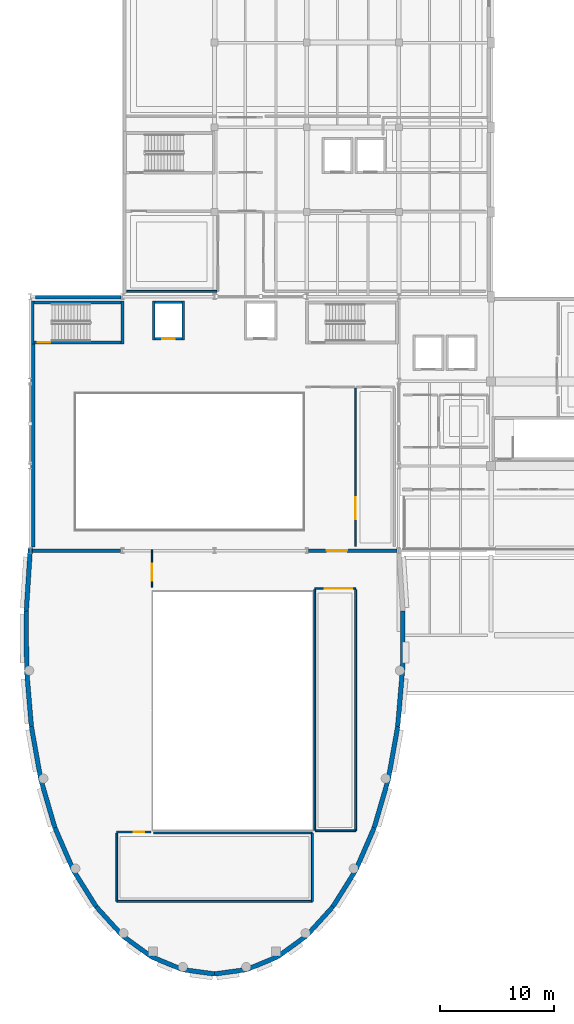
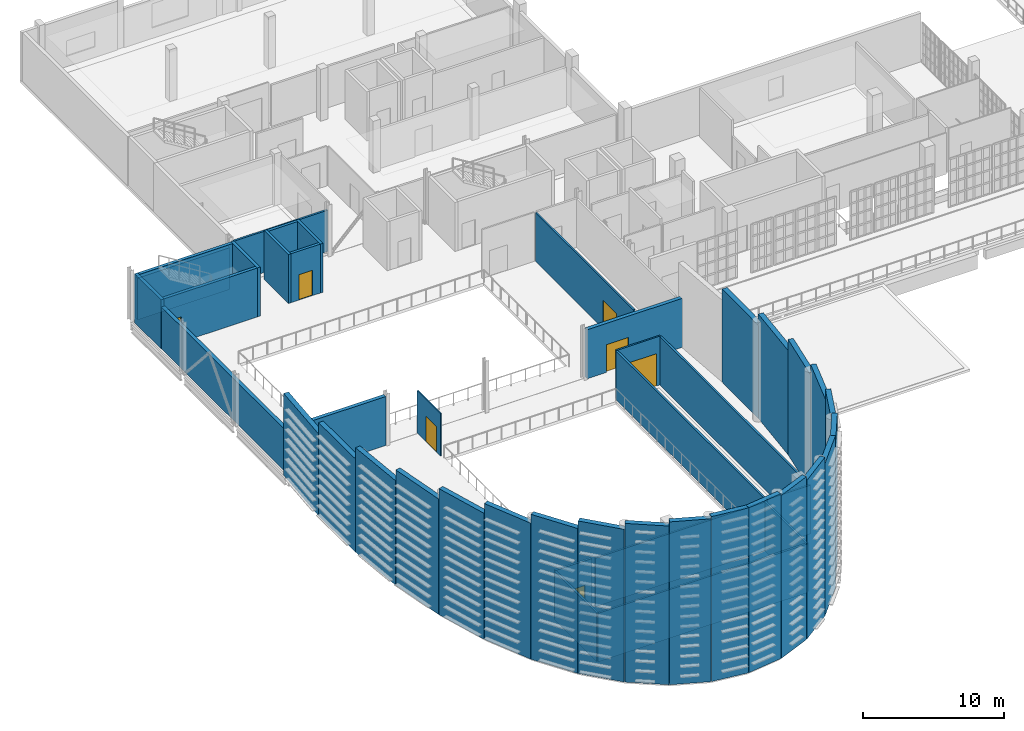
# One storey, part 45 of 56: 45 walls, 7 doors, 7 openings.
"""IFC4 building model written with IfcOpenShell, lengths in metres."""

from ifc_helpers import new_model, si_unit, direction, frame, frame_2d, origin, place, context, subcontext, project, spatial, rectangle, extrude, material, layer, layer_set, type_object, element, fill, save


model = new_model("IFC4")

# Units and contexts
model_context = context("Model", 3, precision=1e-05, world=origin(), true_north=direction((0.0, 1.0)))
body_context = subcontext(model_context, "Body", "Model", "MODEL_VIEW")
ifc_project = project(units=[si_unit("LENGTHUNIT", "METRE"), si_unit("AREAUNIT", "SQUARE_METRE"), si_unit("VOLUMEUNIT", "CUBIC_METRE"), si_unit("PLANEANGLEUNIT", "RADIAN"), si_unit("MASSUNIT", "GRAM", prefix="KILO")], contexts=[model_context])

# Site, building, storey
site_placement = place(None, origin())
site = spatial("IfcSite", under=ifc_project, at=site_placement, CompositionType="ELEMENT")
building_placement = place(site_placement, origin())
building = spatial("IfcBuilding", under=site, at=building_placement, Name="Kaelora Sail Theatre", CompositionType="ELEMENT")
storey_placement = place(building_placement, frame((0.0, 0.0, 14.699951171875)))
storey = spatial("IfcBuildingStorey", under=building, at=storey_placement, Name="L03", CompositionType="ELEMENT", Elevation=14.699951171875)

# Wall, opening, door
ifc_material_1 = material(Name="Concrete C40/50", Category="concrete")
ifc_layer_1 = layer(ifc_material_1, 0.25)
ifc_layer_set_1 = layer_set([ifc_layer_1], Name="Concrete C40/50")
wall_type_1 = type_object("IfcWallType", Name="ARC-WL-CW-250", PredefinedType="SHEAR", material=ifc_layer_set_1)
wall_1_placement = place(storey_placement, frame((26.155029296875, 79.324951171875, 0.0), z_axis=(0.0, 0.0, 1.0), x_axis=(1.0, 0.0, 0.0)))
wall_1 = element("IfcWall", 1, at=wall_1_placement, inside=storey, type_object=wall_type_1, Name="Stair shaft ST-K1 wall L03-S", PredefinedType="SHEAR", context=body_context, shape_type="SweptSolid", body=[
    extrude(rectangle(XDim=7.639892578125, YDim=0.25, at=frame_2d((3.81982421875, 0.0))), origin(), (0.0, 0.0, 1.0), 4.2451171875),
])
opening_1_placement = place(wall_1_placement, frame((0.320068359375, 0.0, 0.0)))
opening_1 = element("IfcOpeningElement", 2, at=opening_1_placement, cuts=wall_1, Name="Opening FD-02", PredefinedType="OPENING", context=body_context, shape_type="SweptSolid", body=[
    extrude(rectangle(XDim=1.10009765625, YDim=2.199951171875, at=frame_2d((0.550048828125, 1.10009765625))), frame((0.0, 0.135, 0.0), z_axis=(0.0, -1.0, 0.0), x_axis=(1.0, 0.0, 0.0)), (0.0, 0.0, 1.0), 0.27),
])
ifc_material_2 = material(Name="Acoustic steel single stair/lobby fire door EI 90-C", Category="steel")
door_type_1 = type_object("IfcDoorType", Name="ARC-DR-FD-02", OperationType="NOTDEFINED", PredefinedType="DOOR", material=ifc_material_2)
door_1_placement = place(opening_1_placement, origin())
door_1 = element("IfcDoor", 3, at=door_1_placement, inside=storey, type_object=door_type_1, Name="Stair ST-K1 door (L03)", OperationType="SINGLE_SWING_RIGHT", OverallHeight=2.199951171875, OverallWidth=1.10009765625, PredefinedType="DOOR", context=body_context, shape_type="SweptSolid", body=[
    extrude(rectangle(XDim=1.10009765625, YDim=2.199951171875, at=frame_2d((0.550048828125, 1.10009765625))), frame((0.0, 0.02490234375, 0.0), z_axis=(0.0, -1.0, 0.0), x_axis=(1.0, 0.0, 0.0)), (0.0, 0.0, 1.0), 0.050048828125),
])
fill(opening_1, door_1)

# Walls
wall_2_placement = place(storey_placement, frame((26.155029296875, 82.824951171875, 0.0), z_axis=(0.0, 0.0, 1.0), x_axis=(1.0, 0.0, 0.0)))
element("IfcWall", 4, at=wall_2_placement, inside=storey, type_object=wall_type_1, Name="Stair shaft ST-K1 wall L03-N", PredefinedType="SHEAR", context=body_context, shape_type="SweptSolid", body=[
    extrude(rectangle(XDim=7.639892578125, YDim=0.25, at=frame_2d((3.81982421875, 0.0))), origin(), (0.0, 0.0, 1.0), 4.2451171875),
])
for number, where, z_axis, x_axis, name in (
    (5, (26.02490234375, 79.199951171875, 0.0), (0.0, 0.0, 1.0), (0.0, 1.0, 0.0), "Stair shaft ST-K1 wall L03-W"),
    (6, (33.925048828125, 79.199951171875, 0.0), (0.0, 0.0, 1.0), (0.0, 1.0, 0.0), "Stair shaft ST-K1 wall L03-E"),
):
    element("IfcWall", number, at=place(storey_placement, frame(where, z_axis=z_axis, x_axis=x_axis)), inside=storey, type_object=wall_type_1, Name=name, PredefinedType="SHEAR", context=body_context, shape_type="SweptSolid", body=[
        extrude(rectangle(XDim=3.75, YDim=0.25, at=frame_2d((1.875, 0.0))), origin(), (0.0, 0.0, 1.0), 4.2451171875),
    ])
ifc_material_3 = material(Name="Concrete C45/55", Category="concrete")
ifc_layer_2 = layer(ifc_material_3, 0.300048828125)
ifc_layer_set_2 = layer_set([ifc_layer_2], Name="Concrete C45/55")
wall_type_2 = type_object("IfcWallType", Name="ARC-WL-CW-300", PredefinedType="SHEAR", material=ifc_layer_set_2)
wall_3_placement = place(storey_placement, frame((25.951904296875, 61.02001953125, 0.0), z_axis=(0.0, 0.0, 1.0), x_axis=(1.0, 0.0, 0.0)))
element("IfcWall", 7, at=wall_3_placement, inside=storey, type_object=wall_type_2, Name="Proscenium fire wall L03-W", PredefinedType="SHEAR", context=body_context, shape_type="SweptSolid", body=[
    extrude(rectangle(XDim=7.796142578125, YDim=0.300048828125, at=frame_2d((3.89794921875, 0.0))), origin(), (0.0, 0.0, 1.0), 4.2451171875),
])

# Wall, opening, door
wall_4_placement = place(storey_placement, frame((50.251953125, 61.02001953125, 0.0), z_axis=(0.0, 0.0, 1.0), x_axis=(1.0, 0.0, 0.0)))
wall_4 = element("IfcWall", 8, at=wall_4_placement, inside=storey, type_object=wall_type_2, Name="Proscenium fire wall L03-E", PredefinedType="SHEAR", context=body_context, shape_type="SweptSolid", body=[
    extrude(rectangle(XDim=7.796142578125, YDim=0.300048828125, at=frame_2d((3.89794921875, 0.0))), origin(), (0.0, 0.0, 1.0), 4.2451171875),
])
opening_2_placement = place(wall_4_placement, frame((1.60009765625, 0.0, 0.0)))
opening_2 = element("IfcOpeningElement", 9, at=opening_2_placement, cuts=wall_4, Name="Opening FD-03", PredefinedType="OPENING", context=body_context, shape_type="SweptSolid", body=[
    extrude(rectangle(XDim=1.800048828125, YDim=2.39990234375, at=frame_2d((0.89990234375, 1.199951171875))), frame((0.0, 0.159902, 0.0), z_axis=(0.0, -1.0, 0.0), x_axis=(1.0, 0.0, 0.0)), (0.0, 0.0, 1.0), 0.320049),
])
ifc_material_4 = material(Name="Auditorium acoustic double sound-lock fire door FD60S", Category="steel")
door_type_2 = type_object("IfcDoorType", Name="ARC-DR-FD-03", OperationType="NOTDEFINED", PredefinedType="DOOR", material=ifc_material_4)
door_2_placement = place(opening_2_placement, origin())
door_2 = element("IfcDoor", 10, at=door_2_placement, inside=storey, type_object=door_type_2, Name="Stage-to-Auditorium Fire Door L03", OperationType="DOUBLE_DOOR_SINGLE_SWING", OverallHeight=2.39990234375, OverallWidth=1.800048828125, PredefinedType="DOOR", context=body_context, shape_type="SweptSolid", body=[
    extrude(rectangle(XDim=1.800048828125, YDim=2.39990234375, at=frame_2d((0.89990234375, 1.199951171875))), frame((0.0, 0.02490234375, 0.0), z_axis=(0.0, -1.0, 0.0), x_axis=(1.0, 0.0, 0.0)), (0.0, 0.0, 1.0), 0.050048828125),
])
fill(opening_2, door_2)

# Walls
ifc_material_5 = material(Name="Concrete C50/60", Category="concrete")
ifc_layer_3 = layer(ifc_material_5, 0.39990234375)
ifc_layer_set_3 = layer_set([ifc_layer_3], Name="Concrete C50/60")
wall_type_3 = type_object("IfcWallType", Name="ARC-WL-DW-400", PredefinedType="SHEAR", material=ifc_layer_set_3)
wall_5_placement = place(storey_placement, frame((58.542236328125, 55.725830078125, 0.0), z_axis=(0.0, 0.0, 1.0), x_axis=(-0.004895671688, -0.999988016128, 0.0)))
element("IfcWall", 11, at=wall_5_placement, inside=storey, type_object=wall_type_3, Name="Main Theatre Sail Drum curved drum acoustic wall L03 chord 2", PredefinedType="SHEAR", context=body_context, shape_type="SweptSolid", body=[
    extrude(rectangle(XDim=5.186279296875, YDim=0.39990234375, at=frame_2d((2.59326171875, 0.0))), origin(), (0.0, 0.0, 1.0), 8.071044921875),
])
wall_6_placement = place(storey_placement, frame((58.516845703125, 50.53955078125, 0.0), z_axis=(0.0, 0.0, 1.0), x_axis=(-0.084239735825, -0.996445516277, 0.0)))
element("IfcWall", 12, at=wall_6_placement, inside=storey, type_object=wall_type_3, Name="Main Theatre Sail Drum curved drum acoustic wall L03 chord 3", PredefinedType="SHEAR", context=body_context, shape_type="SweptSolid", body=[
    extrude(rectangle(XDim=4.99072265625, YDim=0.39990234375, at=frame_2d((2.495361328125, 0.0))), origin(), (0.0, 0.0, 1.0), 9.04248046875),
])
wall_7_placement = place(storey_placement, frame((58.096435546875, 45.566650390625, 0.0), z_axis=(0.0, 0.0, 1.0), x_axis=(-0.17557456422, -0.98446613573, 0.0)))
element("IfcWall", 13, at=wall_7_placement, inside=storey, type_object=wall_type_3, Name="Main Theatre Sail Drum curved drum acoustic wall L03 chord 4", PredefinedType="SHEAR", context=body_context, shape_type="SweptSolid", body=[
    extrude(rectangle(XDim=4.73193359375, YDim=0.39990234375, at=frame_2d((2.365966796875, 0.0))), origin(), (0.0, 0.0, 1.0), 9.997802734375),
])
wall_8_placement = place(storey_placement, frame((57.265625, 40.908203125, 0.0), z_axis=(0.0, 0.0, 1.0), x_axis=(-0.280296498643, -0.959913471542, 0.0)))
element("IfcWall", 14, at=wall_8_placement, inside=storey, type_object=wall_type_3, Name="Main Theatre Sail Drum curved drum acoustic wall L03 chord 5", PredefinedType="SHEAR", context=body_context, shape_type="SweptSolid", body=[
    extrude(rectangle(XDim=4.426513671875, YDim=0.39990234375, at=frame_2d((2.21337890625, 0.0))), origin(), (0.0, 0.0, 1.0), 10.922607421875),
])
wall_9_placement = place(storey_placement, frame((56.02490234375, 36.6591796875, 0.0), z_axis=(0.0, 0.0, 1.0), x_axis=(-0.39928213013, -0.916828108513, 0.0)))
element("IfcWall", 15, at=wall_9_placement, inside=storey, type_object=wall_type_3, Name="Main Theatre Sail Drum curved drum acoustic wall L03 chord 6", PredefinedType="SHEAR", context=body_context, shape_type="SweptSolid", body=[
    extrude(rectangle(XDim=4.09375, YDim=0.39990234375, at=frame_2d((2.046875, 0.0))), origin(), (0.0, 0.0, 1.0), 11.7822265625),
])
wall_10_placement = place(storey_placement, frame((54.390380859375, 32.906005859375, 0.0), z_axis=(0.0, 0.0, 1.0), x_axis=(-0.531284290946, -0.847193603726, 0.0)))
element("IfcWall", 16, at=wall_10_placement, inside=storey, type_object=wall_type_3, Name="Main Theatre Sail Drum curved drum acoustic wall L03 chord 7", PredefinedType="SHEAR", context=body_context, shape_type="SweptSolid", body=[
    extrude(rectangle(XDim=3.75439453125, YDim=0.39990234375, at=frame_2d((1.877197265625, 0.0))), origin(), (0.0, 0.0, 1.0), 12.5595703125),
])
wall_11_placement = place(storey_placement, frame((52.395751953125, 29.725341796875, 0.0), z_axis=(0.0, 0.0, 1.0), x_axis=(-0.671588971211, -0.740923919001, 0.0)))
element("IfcWall", 17, at=wall_11_placement, inside=storey, type_object=wall_type_3, Name="Main Theatre Sail Drum curved drum acoustic wall L03 chord 8", PredefinedType="SHEAR", context=body_context, shape_type="SweptSolid", body=[
    extrude(rectangle(XDim=3.43310546875, YDim=0.39990234375, at=frame_2d((1.716552734375, 0.0))), origin(), (0.0, 0.0, 1.0), 13.2265625),
])
wall_12_placement = place(storey_placement, frame((50.090087890625, 27.181640625, 0.0), z_axis=(0.0, 0.0, 1.0), x_axis=(-0.809033741653, -0.587762200951, 0.0)))
element("IfcWall", 18, at=wall_12_placement, inside=storey, type_object=wall_type_3, Name="Main Theatre Sail Drum curved drum acoustic wall L03 chord 9", PredefinedType="SHEAR", context=body_context, shape_type="SweptSolid", body=[
    extrude(rectangle(XDim=3.155517578125, YDim=0.39990234375, at=frame_2d((1.57763671875, 0.0))), origin(), (0.0, 0.0, 1.0), 13.755126953125),
])
wall_13_placement = place(storey_placement, frame((47.537109375, 25.326904296875, 0.0), z_axis=(0.0, 0.0, 1.0), x_axis=(-0.923897776758, -0.382639383887, 0.0)))
element("IfcWall", 19, at=wall_13_placement, inside=storey, type_object=wall_type_3, Name="Main Theatre Sail Drum curved drum acoustic wall L03 chord 10", PredefinedType="SHEAR", context=body_context, shape_type="SweptSolid", body=[
    extrude(rectangle(XDim=2.948974609375, YDim=0.39990234375, at=frame_2d((1.474609375, 0.0))), origin(), (0.0, 0.0, 1.0), 14.113525390625),
])
for number, where, z_axis, x_axis, name in (
    (20, (44.8125, 24.198486328125, 0.0), (0.0, 0.0, 1.0), (-0.991069409398, -0.133347012549, 0.0), "Main Theatre Sail Drum curved drum acoustic wall L03 chord 11"),
    (21, (42.0, 23.820068359375, 0.0), (0.0, 0.0, 1.0), (-0.991069409398, 0.133347012549, 0.0), "Main Theatre Sail Drum curved drum acoustic wall L03 chord 12"),
):
    element("IfcWall", number, at=place(storey_placement, frame(where, z_axis=z_axis, x_axis=x_axis)), inside=storey, type_object=wall_type_3, Name=name, PredefinedType="SHEAR", context=body_context, shape_type="SweptSolid", body=[
        extrude(rectangle(XDim=2.837890625, YDim=0.39990234375, at=frame_2d((1.4189453125, 0.0))), origin(), (0.0, 0.0, 1.0), 14.29443359375),
    ])
wall_14_placement = place(storey_placement, frame((39.1875, 24.198486328125, 0.0), z_axis=(0.0, 0.0, 1.0), x_axis=(-0.923897776758, 0.382639383887, 0.0)))
element("IfcWall", 22, at=wall_14_placement, inside=storey, type_object=wall_type_3, Name="Main Theatre Sail Drum curved drum acoustic wall L03 chord 13", PredefinedType="SHEAR", context=body_context, shape_type="SweptSolid", body=[
    extrude(rectangle(XDim=2.948974609375, YDim=0.39990234375, at=frame_2d((1.474609375, 0.0))), origin(), (0.0, 0.0, 1.0), 14.113525390625),
])
wall_15_placement = place(storey_placement, frame((36.462890625, 25.326904296875, 0.0), z_axis=(0.0, 0.0, 1.0), x_axis=(-0.809033741653, 0.587762200951, 0.0)))
element("IfcWall", 23, at=wall_15_placement, inside=storey, type_object=wall_type_3, Name="Main Theatre Sail Drum curved drum acoustic wall L03 chord 14", PredefinedType="SHEAR", context=body_context, shape_type="SweptSolid", body=[
    extrude(rectangle(XDim=3.155517578125, YDim=0.39990234375, at=frame_2d((1.57763671875, 0.0))), origin(), (0.0, 0.0, 1.0), 13.755126953125),
])
wall_16_placement = place(storey_placement, frame((33.909912109375, 27.181640625, 0.0), z_axis=(0.0, 0.0, 1.0), x_axis=(-0.671588971211, 0.740923919001, 0.0)))
element("IfcWall", 24, at=wall_16_placement, inside=storey, type_object=wall_type_3, Name="Main Theatre Sail Drum curved drum acoustic wall L03 chord 15", PredefinedType="SHEAR", context=body_context, shape_type="SweptSolid", body=[
    extrude(rectangle(XDim=3.43310546875, YDim=0.39990234375, at=frame_2d((1.716552734375, 0.0))), origin(), (0.0, 0.0, 1.0), 13.2265625),
])
wall_17_placement = place(storey_placement, frame((31.604248046875, 29.725341796875, 0.0), z_axis=(0.0, 0.0, 1.0), x_axis=(-0.531284290946, 0.847193603726, 0.0)))
element("IfcWall", 25, at=wall_17_placement, inside=storey, type_object=wall_type_3, Name="Main Theatre Sail Drum curved drum acoustic wall L03 chord 16", PredefinedType="SHEAR", context=body_context, shape_type="SweptSolid", body=[
    extrude(rectangle(XDim=3.75439453125, YDim=0.39990234375, at=frame_2d((1.877197265625, 0.0))), origin(), (0.0, 0.0, 1.0), 12.5595703125),
])
wall_18_placement = place(storey_placement, frame((29.609619140625, 32.906005859375, 0.0), z_axis=(0.0, 0.0, 1.0), x_axis=(-0.39928213013, 0.916828108513, 0.0)))
element("IfcWall", 26, at=wall_18_placement, inside=storey, type_object=wall_type_3, Name="Main Theatre Sail Drum curved drum acoustic wall L03 chord 17", PredefinedType="SHEAR", context=body_context, shape_type="SweptSolid", body=[
    extrude(rectangle(XDim=4.09375, YDim=0.39990234375, at=frame_2d((2.046875, 0.0))), origin(), (0.0, 0.0, 1.0), 11.7822265625),
])
wall_19_placement = place(storey_placement, frame((27.97509765625, 36.6591796875, 0.0), z_axis=(0.0, 0.0, 1.0), x_axis=(-0.280296498643, 0.959913471542, 0.0)))
element("IfcWall", 27, at=wall_19_placement, inside=storey, type_object=wall_type_3, Name="Main Theatre Sail Drum curved drum acoustic wall L03 chord 18", PredefinedType="SHEAR", context=body_context, shape_type="SweptSolid", body=[
    extrude(rectangle(XDim=4.426513671875, YDim=0.39990234375, at=frame_2d((2.21337890625, 0.0))), origin(), (0.0, 0.0, 1.0), 10.922607421875),
])
wall_20_placement = place(storey_placement, frame((26.734375, 40.908203125, 0.0), z_axis=(0.0, 0.0, 1.0), x_axis=(-0.17557456422, 0.98446613573, 0.0)))
element("IfcWall", 28, at=wall_20_placement, inside=storey, type_object=wall_type_3, Name="Main Theatre Sail Drum curved drum acoustic wall L03 chord 19", PredefinedType="SHEAR", context=body_context, shape_type="SweptSolid", body=[
    extrude(rectangle(XDim=4.73193359375, YDim=0.39990234375, at=frame_2d((2.365966796875, 0.0))), origin(), (0.0, 0.0, 1.0), 9.997802734375),
])
wall_21_placement = place(storey_placement, frame((25.903564453125, 45.566650390625, 0.0), z_axis=(0.0, 0.0, 1.0), x_axis=(-0.084239735825, 0.996445516277, 0.0)))
element("IfcWall", 29, at=wall_21_placement, inside=storey, type_object=wall_type_3, Name="Main Theatre Sail Drum curved drum acoustic wall L03 chord 20", PredefinedType="SHEAR", context=body_context, shape_type="SweptSolid", body=[
    extrude(rectangle(XDim=4.99072265625, YDim=0.39990234375, at=frame_2d((2.495361328125, 0.0))), origin(), (0.0, 0.0, 1.0), 9.04248046875),
])
wall_22_placement = place(storey_placement, frame((25.483154296875, 50.53955078125, 0.0), z_axis=(0.0, 0.0, 1.0), x_axis=(-0.004895671688, 0.999988016128, 0.0)))
element("IfcWall", 30, at=wall_22_placement, inside=storey, type_object=wall_type_3, Name="Main Theatre Sail Drum curved drum acoustic wall L03 chord 21", PredefinedType="SHEAR", context=body_context, shape_type="SweptSolid", body=[
    extrude(rectangle(XDim=5.186279296875, YDim=0.39990234375, at=frame_2d((2.59326171875, 0.0))), origin(), (0.0, 0.0, 1.0), 8.071044921875),
])
wall_23_placement = place(storey_placement, frame((25.457763671875, 55.725830078125, 0.0), z_axis=(0.0, 0.0, 1.0), x_axis=(0.064519893008, 0.997916421053, 0.0)))
element("IfcWall", 31, at=wall_23_placement, inside=storey, type_object=wall_type_3, Name="Main Theatre Sail Drum curved drum acoustic wall L03 chord 22", PredefinedType="SHEAR", context=body_context, shape_type="SweptSolid", body=[
    extrude(rectangle(XDim=5.585205078125, YDim=0.39990234375, at=frame_2d((2.79248046875, 0.0))), origin(), (0.0, 0.0, 1.0), 7.0966796875),
])
ifc_material_6 = material(Name="Concrete C40/50", Category="concrete")
ifc_layer_4 = layer(ifc_material_6, 0.300048828125)
ifc_layer_set_4 = layer_set([ifc_layer_4], Name="Concrete C40/50")
wall_type_4 = type_object("IfcWallType", Name="ARC-WL-EW-300", PredefinedType="SOLIDWALL", material=ifc_layer_set_4)
wall_24_placement = place(storey_placement, frame((26.080078125, 61.35009765625, 0.0), z_axis=(0.0, 0.0, 1.0), x_axis=(0.0, 1.0, 0.0)))
element("IfcWall", 32, at=wall_24_placement, inside=storey, type_object=wall_type_4, Name="Fly Tower West Acoustic Stage-House Wall (L03)", PredefinedType="SOLIDWALL", context=body_context, shape_type="SweptSolid", body=[
    extrude(rectangle(XDim=17.949951171875, YDim=0.300048828125, at=frame_2d((8.97509765625, 0.0))), origin(), (0.0, 0.0, 1.0), 3.625),
])
wall_25_placement = place(storey_placement, frame((26.25, 83.280029296875, 0.0), z_axis=(0.0, 0.0, 1.0), x_axis=(1.0, 0.0, 0.0)))
element("IfcWall", 33, at=wall_25_placement, inside=storey, type_object=wall_type_4, Name="Fly Tower NW Step Closure Wall (L03)", PredefinedType="SOLIDWALL", context=body_context, shape_type="SweptSolid", body=[
    extrude(rectangle(XDim=7.550048828125, YDim=0.300048828125, at=frame_2d((3.77490234375, 0.0))), origin(), (0.0, 0.0, 1.0), 3.625),
])

# Wall, opening, door
ifc_material_7 = material(Name="Sanitary moisture-resistant partition 100 mm", Category="gypsum")
ifc_layer_5 = layer(ifc_material_7, 0.10009765625)
ifc_layer_set_5 = layer_set([ifc_layer_5], Name="Sanitary moisture-resistant partition 100 mm")
wall_type_5 = type_object("IfcWallType", Name="ARC-WL-PT-100", PredefinedType="PARTITIONING", material=ifc_layer_set_5)
wall_26_placement = place(storey_placement, frame((36.5, 57.800048828125, 0.0), z_axis=(0.0, 0.0, 1.0), x_axis=(0.0, 1.0, 0.0)))
wall_26 = element("IfcWall", 34, at=wall_26_placement, inside=storey, type_object=wall_type_5, Name="Interior acoustic partition L03-RING-LINKW/L03-MAIN-NLOB", PredefinedType="PARTITIONING", context=body_context, shape_type="SweptSolid", body=[
    extrude(rectangle(XDim=3.300048828125, YDim=0.10009765625, at=frame_2d((1.64990234375, 0.0))), origin(), (0.0, 0.0, 1.0), 3.677001953125),
])
opening_3_placement = place(wall_26_placement, frame((0.580078125, 0.0, 0.0)))
opening_3 = element("IfcOpeningElement", 35, at=opening_3_placement, cuts=wall_26, Name="Opening FD-01", PredefinedType="OPENING", context=body_context, shape_type="SweptSolid", body=[
    extrude(rectangle(XDim=1.5, YDim=2.199951171875, at=frame_2d((0.75, 1.10009765625))), frame((0.0, 0.060049, 0.0), z_axis=(0.0, -1.0, 0.0), x_axis=(1.0, 0.0, 0.0)), (0.0, 0.0, 1.0), 0.120098),
])
ifc_material_8 = material(Name="Acoustic steel double fire door EI 90-C", Category="steel")
door_type_3 = type_object("IfcDoorType", Name="ARC-DR-FD-01", OperationType="NOTDEFINED", PredefinedType="DOOR", material=ifc_material_8)
door_3_placement = place(opening_3_placement, origin())
door_3 = element("IfcDoor", 36, at=door_3_placement, inside=storey, type_object=door_type_3, Name="Interior door L03-RING-LINKW to L03-MAIN-NLOB", OperationType="DOUBLE_DOOR_SINGLE_SWING", OverallHeight=2.199951171875, OverallWidth=1.5, PredefinedType="DOOR", context=body_context, shape_type="SweptSolid", body=[
    extrude(rectangle(XDim=1.5, YDim=2.199951171875, at=frame_2d((0.75, 1.10009765625))), frame((0.0, 0.02490234375, 0.0), z_axis=(0.0, -1.0, 0.0), x_axis=(1.0, 0.0, 0.0)), (0.0, 0.0, 1.0), 0.050048828125),
])
fill(opening_3, door_3)

ifc_material_9 = material(Name="Dressing room acoustic partition 130 mm", Category="gypsum")
ifc_layer_6 = layer(ifc_material_9, 0.1298828125)
ifc_layer_set_6 = layer_set([ifc_layer_6], Name="Dressing room acoustic partition 130 mm")
wall_type_6 = type_object("IfcWallType", Name="ARC-WL-PT-130", PredefinedType="PARTITIONING", material=ifc_layer_set_6)
wall_27_placement = place(storey_placement, frame((50.800048828125, 57.699951171875, 0.0), z_axis=(0.0, 0.0, 1.0), x_axis=(1.0, 0.0, 0.0)))
wall_27 = element("IfcWall", 37, at=wall_27_placement, inside=storey, type_object=wall_type_6, Name="Interior acoustic partition L03-ACOUSTIC-E/L03-MAIN-NLOB", PredefinedType="PARTITIONING", context=body_context, shape_type="SweptSolid", body=[
    extrude(rectangle(XDim=3.599853515625, YDim=0.1298828125, at=frame_2d((1.7998046875, 0.0))), origin(), (0.0, 0.0, 1.0), 4.22509765625),
])
opening_4_placement = place(wall_27_placement, frame((0.8798828125, 0.0, 0.0)))
opening_4 = element("IfcOpeningElement", 38, at=opening_4_placement, cuts=wall_27, Name="Opening ID-05", PredefinedType="OPENING", context=body_context, shape_type="SweptSolid", body=[
    extrude(rectangle(XDim=2.39990234375, YDim=2.800048828125, at=frame_2d((1.199951171875, 1.39990234375))), frame((0.0, 0.074941, 0.0), z_axis=(0.0, -1.0, 0.0), x_axis=(1.0, 0.0, 0.0)), (0.0, 0.0, 1.0), 0.149883),
])
ifc_material_10 = material(Name="Scenery workshop oversize acoustic double door", Category="steel")
door_type_4 = type_object("IfcDoorType", Name="ARC-DR-ID-05", OperationType="NOTDEFINED", PredefinedType="DOOR", material=ifc_material_10)
door_4_placement = place(opening_4_placement, origin())
door_4 = element("IfcDoor", 39, at=door_4_placement, inside=storey, type_object=door_type_4, Name="Interior door L03-ACOUSTIC-E to L03-MAIN-NLOB", OperationType="DOUBLE_DOOR_SINGLE_SWING", OverallHeight=2.800048828125, OverallWidth=2.39990234375, PredefinedType="DOOR", context=body_context, shape_type="SweptSolid", body=[
    extrude(rectangle(XDim=2.39990234375, YDim=2.800048828125, at=frame_2d((1.199951171875, 1.39990234375))), frame((0.0, 0.02490234375, 0.0), z_axis=(0.0, -1.0, 0.0), x_axis=(1.0, 0.0, 0.0)), (0.0, 0.0, 1.0), 0.050048828125),
])
fill(opening_4, door_4)

wall_28_placement = place(storey_placement, frame((54.39990234375, 61.39990234375, 0.0), z_axis=(0.0, 0.0, 1.0), x_axis=(0.0, 1.0, 0.0)))
wall_28 = element("IfcWall", 40, at=wall_28_placement, inside=storey, type_object=wall_type_6, Name="Interior acoustic partition L03-MAIN-ELINK/L03-FLY-LOAD", PredefinedType="PARTITIONING", context=body_context, shape_type="SweptSolid", body=[
    extrude(rectangle(XDim=13.900146484375, YDim=0.1298828125, at=frame_2d((6.9501953125, 0.0))), origin(), (0.0, 0.0, 1.0), 4.22509765625),
])
opening_5_placement = place(wall_28_placement, frame((2.3779296875, 0.0, 0.0)))
opening_5 = element("IfcOpeningElement", 41, at=opening_5_placement, cuts=wall_28, Name="Opening ID-10", PredefinedType="OPENING", context=body_context, shape_type="SweptSolid", body=[
    extrude(rectangle(XDim=1.949951171875, YDim=2.449951171875, at=frame_2d((0.97509765625, 1.22509765625))), frame((0.0, 0.074941, 0.0), z_axis=(0.0, -1.0, 0.0), x_axis=(1.0, 0.0, 0.0)), (0.0, 0.0, 1.0), 0.149883),
])
ifc_material_11 = material(Name="Foyer hospitality glazed double door", Category="steel")
door_type_5 = type_object("IfcDoorType", Name="ARC-DR-ID-10", OperationType="NOTDEFINED", PredefinedType="DOOR", material=ifc_material_11)
door_5_placement = place(opening_5_placement, origin())
door_5 = element("IfcDoor", 42, at=door_5_placement, inside=storey, type_object=door_type_5, Name="Interior door L03-MAIN-ELINK to L03-FLY-LOAD", OperationType="DOUBLE_DOOR_SINGLE_SWING", OverallHeight=2.449951171875, OverallWidth=1.949951171875, PredefinedType="DOOR", context=body_context, shape_type="SweptSolid", body=[
    extrude(rectangle(XDim=1.949951171875, YDim=2.449951171875, at=frame_2d((0.97509765625, 1.22509765625))), frame((0.0, 0.02490234375, 0.0), z_axis=(0.0, -1.0, 0.0), x_axis=(1.0, 0.0, 0.0)), (0.0, 0.0, 1.0), 0.050048828125),
])
fill(opening_5, door_5)

# Walls
ifc_material_12 = material(Name="Acoustic metal-stud plasterboard 160 mm", Category="gypsum")
ifc_layer_7 = layer(ifc_material_12, 0.159912109375)
ifc_layer_set_7 = layer_set([ifc_layer_7], Name="Acoustic metal-stud plasterboard 160 mm")
wall_type_7 = type_object("IfcWallType", Name="ARC-WL-PT-160", PredefinedType="PARTITIONING", material=ifc_layer_set_7)
wall_29_placement = place(storey_placement, frame((33.39990234375, 30.199951171875, 0.0), z_axis=(0.0, 0.0, 1.0), x_axis=(1.0, 0.0, 0.0)))
element("IfcWall", 43, at=wall_29_placement, inside=storey, type_object=wall_type_7, Name="Room enclosure wall L03-TECH-RING-S1", PredefinedType="PARTITIONING", context=body_context, shape_type="SweptSolid", body=[
    extrude(rectangle(XDim=17.2001953125, YDim=0.159912109375, at=frame_2d((8.60009765625, 0.0))), origin(), (0.0, 0.0, 1.0), 4.22509765625),
])
wall_30_placement = place(storey_placement, frame((36.64990234375, 36.199951171875, 0.0), z_axis=(0.0, 0.0, 1.0), x_axis=(1.0, 0.0, 0.0)))
element("IfcWall", 44, at=wall_30_placement, inside=storey, type_object=wall_type_7, Name="Room enclosure wall L03-TECH-RING-N1", PredefinedType="PARTITIONING", context=body_context, shape_type="SweptSolid", body=[
    extrude(rectangle(XDim=13.9501953125, YDim=0.159912109375, at=frame_2d((6.97509765625, 0.0))), origin(), (0.0, 0.0, 1.0), 4.22509765625),
])
for number, where, z_axis, x_axis, name in (
    (45, (33.39990234375, 30.199951171875, 0.0), (0.0, 0.0, 1.0), (0.0, 1.0, 0.0), "Room enclosure wall L03-TECH-RING-W1"),
    (46, (50.60009765625, 30.199951171875, 0.0), (0.0, 0.0, 1.0), (0.0, 1.0, 0.0), "Room enclosure wall L03-TECH-RING-E1"),
):
    element("IfcWall", number, at=place(storey_placement, frame(where, z_axis=z_axis, x_axis=x_axis)), inside=storey, type_object=wall_type_7, Name=name, PredefinedType="PARTITIONING", context=body_context, shape_type="SweptSolid", body=[
        extrude(rectangle(XDim=6.0, YDim=0.159912109375, at=frame_2d((3.0, 0.0))), origin(), (0.0, 0.0, 1.0), 4.22509765625),
    ])
wall_31_placement = place(storey_placement, frame((50.85009765625, 36.39990234375, 0.0), z_axis=(0.0, 0.0, 1.0), x_axis=(1.0, 0.0, 0.0)))
element("IfcWall", 47, at=wall_31_placement, inside=storey, type_object=wall_type_7, Name="Room enclosure wall L03-ACOUSTIC-E-S1", PredefinedType="PARTITIONING", context=body_context, shape_type="SweptSolid", body=[
    extrude(rectangle(XDim=3.5498046875, YDim=0.159912109375, at=frame_2d((1.77490234375, 0.0))), origin(), (0.0, 0.0, 1.0), 4.22509765625),
])
wall_32_placement = place(storey_placement, frame((50.800048828125, 36.449951171875, 0.0), z_axis=(0.0, 0.0, 1.0), x_axis=(0.0, 1.0, 0.0)))
element("IfcWall", 48, at=wall_32_placement, inside=storey, type_object=wall_type_7, Name="Room enclosure wall L03-ACOUSTIC-E-W1", PredefinedType="PARTITIONING", context=body_context, shape_type="SweptSolid", body=[
    extrude(rectangle(XDim=21.150146484375, YDim=0.159912109375, at=frame_2d((10.5751953125, 0.0))), origin(), (0.0, 0.0, 1.0), 4.22509765625),
])
wall_33_placement = place(storey_placement, frame((54.39990234375, 36.39990234375, 0.0), z_axis=(0.0, 0.0, 1.0), x_axis=(0.0, 1.0, 0.0)))
element("IfcWall", 49, at=wall_33_placement, inside=storey, type_object=wall_type_7, Name="Room enclosure wall L03-ACOUSTIC-E-E1", PredefinedType="PARTITIONING", context=body_context, shape_type="SweptSolid", body=[
    extrude(rectangle(XDim=21.2001953125, YDim=0.159912109375, at=frame_2d((10.60009765625, 0.0))), origin(), (0.0, 0.0, 1.0), 4.22509765625),
])
wall_34_placement = place(storey_placement, frame((34.300048828125, 83.800048828125, 0.0), z_axis=(0.0, 0.0, 1.0), x_axis=(1.0, 0.0, 0.0)))
element("IfcWall", 50, at=wall_34_placement, inside=storey, type_object=wall_type_7, Name="Room enclosure wall L03-SCORE-W2-S1", PredefinedType="PARTITIONING", context=body_context, shape_type="SweptSolid", body=[
    extrude(rectangle(XDim=7.89990234375, YDim=0.159912109375, at=frame_2d((3.949951171875, 0.0))), origin(), (0.0, 0.0, 1.0), 3.5771484375),
])

# Wall, opening, door
ifc_material_13 = material(Name="Rehearsal double-stud partition 185 mm", Category="gypsum")
ifc_layer_8 = layer(ifc_material_13, 0.18505859375)
ifc_layer_set_8 = layer_set([ifc_layer_8], Name="Rehearsal double-stud partition 185 mm")
wall_type_8 = type_object("IfcWallType", Name="ARC-WL-PT-185", PredefinedType="PARTITIONING", material=ifc_layer_set_8)
wall_35_placement = place(storey_placement, frame((33.39990234375, 36.300048828125, 0.0), z_axis=(0.0, 0.0, 1.0), x_axis=(1.0, 0.0, 0.0)))
wall_35 = element("IfcWall", 51, at=wall_35_placement, inside=storey, type_object=wall_type_8, Name="Interior acoustic partition L03-TECH-RING/L03-RING-LINKW", PredefinedType="PARTITIONING", context=body_context, shape_type="SweptSolid", body=[
    extrude(rectangle(XDim=3.0, YDim=0.18505859375, at=frame_2d((1.5, 0.0))), origin(), (0.0, 0.0, 1.0), 4.22509765625),
])
opening_6_placement = place(wall_35_placement, frame((1.52001953125, 0.0, 0.0)))
opening_6 = element("IfcOpeningElement", 52, at=opening_6_placement, cuts=wall_35, Name="Opening ID-03", PredefinedType="OPENING", context=body_context, shape_type="SweptSolid", body=[
    extrude(rectangle(XDim=0.89990234375, YDim=2.10009765625, at=frame_2d((0.449951171875, 1.050048828125))), frame((0.0, 0.102529, 0.0), z_axis=(0.0, -1.0, 0.0), x_axis=(1.0, 0.0, 0.0)), (0.0, 0.0, 1.0), 0.205059),
])
ifc_material_14 = material(Name="Accessible sanitary laminate door", Category="timber")
door_type_6 = type_object("IfcDoorType", Name="ARC-DR-ID-03", OperationType="NOTDEFINED", PredefinedType="DOOR", material=ifc_material_14)
door_6_placement = place(opening_6_placement, origin())
door_6 = element("IfcDoor", 53, at=door_6_placement, inside=storey, type_object=door_type_6, Name="Interior door L03-TECH-RING to L03-RING-LINKW", OperationType="SINGLE_SWING_LEFT", OverallHeight=2.10009765625, OverallWidth=0.89990234375, PredefinedType="DOOR", context=body_context, shape_type="SweptSolid", body=[
    extrude(rectangle(XDim=0.89990234375, YDim=2.10009765625, at=frame_2d((0.449951171875, 1.050048828125))), frame((0.0, 0.02490234375, 0.0), z_axis=(0.0, -1.0, 0.0), x_axis=(1.0, 0.0, 0.0)), (0.0, 0.0, 1.0), 0.050048828125),
])
fill(opening_6, door_6)

ifc_material_15 = material(Name="Concrete C40/50", Category="concrete")
ifc_layer_9 = layer(ifc_material_15, 0.219970703125)
ifc_layer_set_9 = layer_set([ifc_layer_9], Name="Concrete C40/50")
wall_type_9 = type_object("IfcWallType", Name="ARC-WL-SW-220", PredefinedType="SOLIDWALL", material=ifc_layer_set_9)
wall_36_placement = place(storey_placement, frame((36.75, 79.639892578125, 0.0), z_axis=(0.0, 0.0, 1.0), x_axis=(1.0, 0.0, 0.0)))
wall_36 = element("IfcWall", 54, at=wall_36_placement, inside=storey, type_object=wall_type_9, Name="Lift FFL-01 shaft wall L03-S", PredefinedType="SOLIDWALL", context=body_context, shape_type="SweptSolid", body=[
    extrude(rectangle(XDim=2.39990234375, YDim=0.219970703125, at=frame_2d((1.199951171875, 0.0))), origin(), (0.0, 0.0, 1.0), 4.2451171875),
])
opening_7_placement = place(wall_36_placement, frame((0.64990234375, 0.0, 0.0)))
opening_7 = element("IfcOpeningElement", 55, at=opening_7_placement, cuts=wall_36, Name="Opening LD-FFL", PredefinedType="OPENING", context=body_context, shape_type="SweptSolid", body=[
    extrude(rectangle(XDim=1.10009765625, YDim=2.199951171875, at=frame_2d((0.550048828125, 1.10009765625))), frame((0.0, 0.119863, 0.0), z_axis=(0.0, -1.0, 0.0), x_axis=(1.0, 0.0, 0.0)), (0.0, 0.0, 1.0), 0.239971),
])
ifc_material_16 = material(Name="Stainless steel firefighting lift landing door EI 120", Category="steel")
door_type_7 = type_object("IfcDoorType", Name="ARC-DR-LD-FFL", OperationType="NOTDEFINED", PredefinedType="DOOR", material=ifc_material_16)
door_7_placement = place(opening_7_placement, origin())
door_7 = element("IfcDoor", 56, at=door_7_placement, inside=storey, type_object=door_type_7, Name="Lift FFL-01 sliding landing door (L03)", OperationType="SLIDING_TO_LEFT", OverallHeight=2.199951171875, OverallWidth=1.10009765625, PredefinedType="DOOR", context=body_context, shape_type="SweptSolid", body=[
    extrude(rectangle(XDim=1.10009765625, YDim=2.199951171875, at=frame_2d((0.550048828125, 1.10009765625))), frame((0.0, 0.02490234375, 0.0), z_axis=(0.0, -1.0, 0.0), x_axis=(1.0, 0.0, 0.0)), (0.0, 0.0, 1.0), 0.050048828125),
])
fill(opening_7, door_7)

# Walls
wall_37_placement = place(storey_placement, frame((36.75, 82.860107421875, 0.0), z_axis=(0.0, 0.0, 1.0), x_axis=(1.0, 0.0, 0.0)))
element("IfcWall", 57, at=wall_37_placement, inside=storey, type_object=wall_type_9, Name="Lift FFL-01 shaft wall L03-N", PredefinedType="SOLIDWALL", context=body_context, shape_type="SweptSolid", body=[
    extrude(rectangle(XDim=2.39990234375, YDim=0.219970703125, at=frame_2d((1.199951171875, 0.0))), origin(), (0.0, 0.0, 1.0), 4.2451171875),
])
for number, where, z_axis, x_axis, name in (
    (58, (36.639892578125, 79.530029296875, 0.0), (0.0, 0.0, 1.0), (0.0, 1.0, 0.0), "Lift FFL-01 shaft wall L03-W"),
    (59, (39.260009765625, 79.530029296875, 0.0), (0.0, 0.0, 1.0), (0.0, 1.0, 0.0), "Lift FFL-01 shaft wall L03-E"),
):
    element("IfcWall", number, at=place(storey_placement, frame(where, z_axis=z_axis, x_axis=x_axis)), inside=storey, type_object=wall_type_9, Name=name, PredefinedType="SOLIDWALL", context=body_context, shape_type="SweptSolid", body=[
        extrude(rectangle(XDim=3.43994140625, YDim=0.219970703125, at=frame_2d((1.719970703125, 0.0))), origin(), (0.0, 0.0, 1.0), 4.2451171875),
    ])

save(model, "model.ifc")
